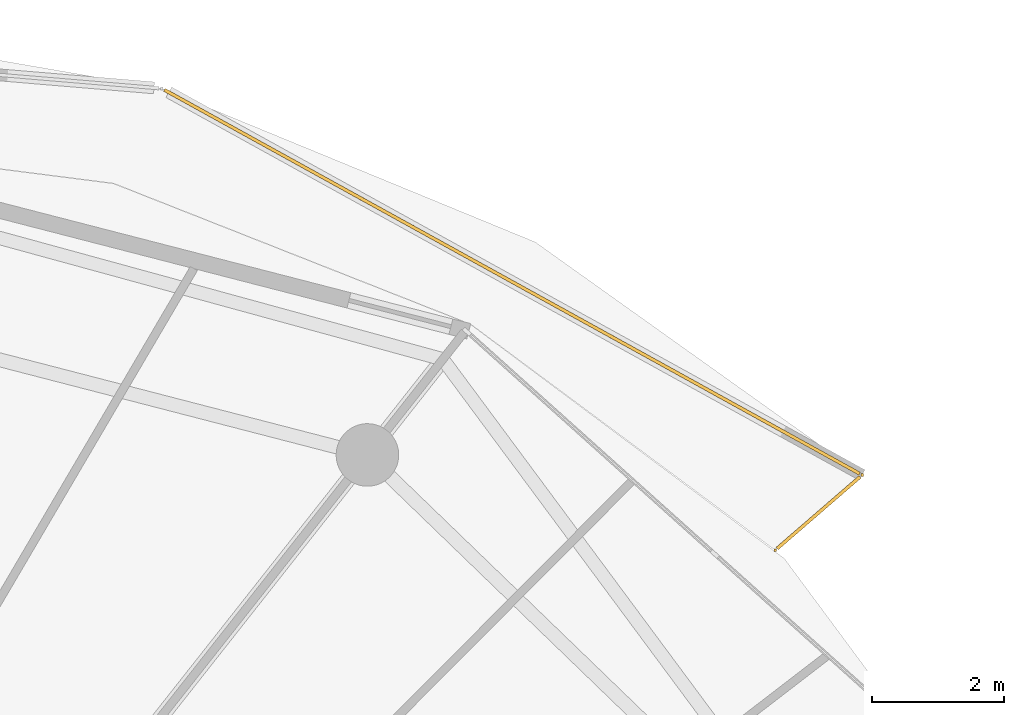
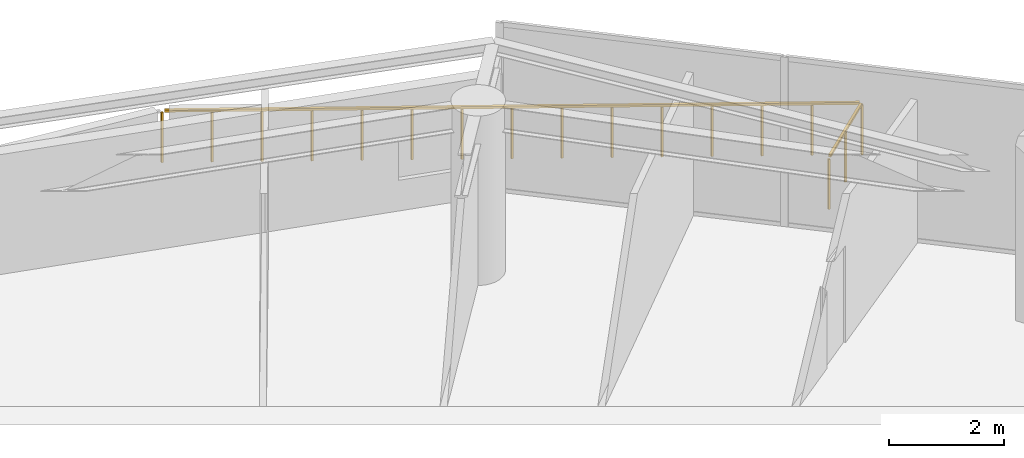
# One storey, part 30 of 30: 2 railings.
"""IFC4 building model written with IfcOpenShell, lengths in metres."""

import ifcopenshell
import ifcopenshell.guid

model = None  # the IFC model being written
_history = None  # IfcOwnerHistory: only IFC2X3 demands one
_inside = {}  # id of a spatial element -> (the spatial element, [elements in it])
_under = {}  # id of a project, library or spatial element -> (it, [spatial elements below it])
_declared = {}  # id of a project -> (the project, [libraries it declares])
_typed = {}  # id of a type object -> (the type object, [elements of that type])
_made_of = {}  # id of a material, layer set ... -> (it, [elements and type objects made of it])


def new_model(schema):
    """Start an empty IFC model of exactly this schema.

    Asked for "IFC4X3", IfcOpenShell would pick the latest addendum, in which some entities
    have other attributes; the version numbers below select the first issue.
    IFC2X3 requires an IfcOwnerHistory on every rooted entity: one is made here for all.
    """
    global model, _history
    if schema == "IFC4X3":
        model = ifcopenshell.file(schema_version=(4, 3, 0, 0))
    else:
        model = ifcopenshell.file(schema=schema)
    _inside.clear()
    _under.clear()
    _declared.clear()
    _typed.clear()
    _made_of.clear()
    _history = None
    if model.schema == "IFC2X3":
        org = make("IfcOrganization", Name="unknown")
        user = make(
            "IfcPersonAndOrganization",
            ThePerson=make("IfcPerson", FamilyName="unknown"),
            TheOrganization=org,
        )
        app = make(
            "IfcApplication",
            ApplicationDeveloper=org,
            Version="unknown",
            ApplicationFullName="unknown",
            ApplicationIdentifier="unknown",
        )
        _history = make(
            "IfcOwnerHistory",
            OwningUser=user,
            OwningApplication=app,
            ChangeAction="ADDED",
            CreationDate=0,
        )
    return model


def make(cls, **values):
    """One entity of the class cls with the attributes given. An attribute that is None is left unset."""
    return model.create_entity(
        cls, **{name: value for name, value in values.items() if value is not None}
    )


def rooted(cls, **values):
    """An entity with a GlobalId (a new one), such as an element, a storey or a relation."""
    return make(cls, GlobalId=ifcopenshell.guid.new(), OwnerHistory=_history, **values)


def si_unit(unit_type, name, prefix=None):
    """IfcSIUnit, for example si_unit("LENGTHUNIT", "METRE", prefix="MILLI")."""
    return make("IfcSIUnit", UnitType=unit_type, Prefix=prefix, Name=name)


def assignment(units):
    """IfcUnitAssignment: the units of a project."""
    return None if units is None else make("IfcUnitAssignment", Units=units)


def point(xyz):
    """IfcCartesianPoint."""
    return None if xyz is None else make("IfcCartesianPoint", Coordinates=xyz)


def direction(xyz):
    """IfcDirection."""
    return None if xyz is None else make("IfcDirection", DirectionRatios=xyz)


def frame(location, z_axis=None, x_axis=None):
    """IfcAxis2Placement3D, a coordinate frame: its origin and axes. An axis left out is left unset."""
    return make(
        "IfcAxis2Placement3D",
        Location=point(location),
        Axis=direction(z_axis),
        RefDirection=direction(x_axis),
    )


def frame_2d(location, x_axis=None):
    """IfcAxis2Placement2D, a coordinate frame in the plane: its origin and x axis."""
    return make(
        "IfcAxis2Placement2D", Location=point(location), RefDirection=direction(x_axis)
    )


def origin():
    """The frame at (0, 0, 0) with its axes left unset."""
    return frame((0.0, 0.0, 0.0))


def origin_2d():
    """The frame at (0, 0) in the plane with its x axis left unset."""
    return frame_2d((0.0, 0.0))


def place(relative_to, where):
    """IfcLocalPlacement: puts the frame where relative to a parent placement (None: the world)."""
    return make(
        "IfcLocalPlacement", PlacementRelTo=relative_to, RelativePlacement=where
    )


def context(
    kind, dimensions, precision=None, world=None, true_north=None, identifier=None
):
    """IfcGeometricRepresentationContext, for example the 3D "Model" context."""
    return make(
        "IfcGeometricRepresentationContext",
        ContextIdentifier=identifier,
        ContextType=kind,
        CoordinateSpaceDimension=dimensions,
        Precision=precision,
        WorldCoordinateSystem=world,
        TrueNorth=true_north,
    )


def subcontext(parent, identifier, kind, view, scale=None):
    """IfcGeometricRepresentationSubContext, for example "Body" below "Model"."""
    return make(
        "IfcGeometricRepresentationSubContext",
        ContextIdentifier=identifier,
        ContextType=kind,
        ParentContext=parent,
        TargetScale=scale,
        TargetView=view,
    )


def project(units=None, contexts=None):
    """IfcProject with its units and contexts."""
    return rooted(
        "IfcProject",
        Name="project",
        RepresentationContexts=contexts,
        UnitsInContext=assignment(units),
    )


def spatial(cls, under=None, at=None, **own):
    """A site, building, storey or space (cls), placed at a placement, below another one or the project."""
    s = rooted(cls, ObjectPlacement=at, **own)
    if under is not None:
        _under.setdefault(under.id(), (under, []))[1].append(s)
    return s


def profile(cls, at=None, kind="AREA", **sizes):
    """A parametric profile (cls). Its sizes go by their IFC names, for example OverallWidth=200.0."""
    return make(cls, ProfileType=kind, Position=at, **sizes)


def rectangle(**sizes):
    """IfcRectangleProfileDef."""
    return profile("IfcRectangleProfileDef", **sizes)


def extrude(swept, where, along, depth):
    """IfcExtrudedAreaSolid: the profile swept, set in the frame where, extruded along a direction by depth."""
    return make(
        "IfcExtrudedAreaSolid",
        SweptArea=swept,
        Position=where,
        ExtrudedDirection=direction(along),
        Depth=depth,
    )


def shape(context_of_items, identifier, shape_type, items):
    """IfcShapeRepresentation: the items that make up one representation, for example the "Body"."""
    return make(
        "IfcShapeRepresentation",
        ContextOfItems=context_of_items,
        RepresentationIdentifier=identifier,
        RepresentationType=shape_type,
        Items=items,
    )


def material(Name=None, Category=None):
    """IfcMaterial."""
    return make("IfcMaterial", Name=Name, Category=Category)


def made_of(thing, what):
    """Note that an element or type object is made of a material, layer set ...; save() writes the relation."""
    if what is not None:
        _made_of.setdefault(what.id(), (what, []))[1].append(thing)
    return thing


def type_object(cls, material=None, **own):
    """A type object (cls), such as IfcWallType, which elements share."""
    return made_of(rooted(cls, **own), material)


def element(
    cls,
    number,
    at=None,
    inside=None,
    cuts=None,
    type_object=None,
    material=None,
    context=None,
    identifier="Body",
    shape_type=None,
    held_by="IfcProductDefinitionShape",
    body=None,
    shapes=None,
    **own,
):
    """One element of the class cls, such as IfcWall. Its Tag is "e" and its number.

    at: its placement. inside: the storey or other place that contains it. cuts: it is an
    opening in that element (IfcRelVoidsElement). A single representation is given by context,
    identifier, shape_type and body (its items); several are given by shapes. held_by: the class
    of the entity that holds the representations. save() writes the other relations.
    """
    e = rooted(cls, Tag="e%d" % number, ObjectPlacement=at, **own)
    if body is not None:
        shapes = [shape(context, identifier, shape_type, body)]
    if shapes is not None:
        e.Representation = make(held_by, Representations=shapes)
    if inside is not None:
        _inside.setdefault(inside.id(), (inside, []))[1].append(e)
    if cuts is not None:
        rooted(
            "IfcRelVoidsElement", RelatingBuildingElement=cuts, RelatedOpeningElement=e
        )
    if type_object is not None:
        _typed.setdefault(type_object.id(), (type_object, []))[1].append(e)
    return made_of(e, material)


def aggregate(whole, parts):
    """IfcRelAggregates: a whole, such as a stair, and the parts it consists of."""
    return rooted("IfcRelAggregates", RelatingObject=whole, RelatedObjects=parts)


def save(model, path):
    """Write the relations noted so far, then the file.

    IfcRelAggregates (storeys below a building ...), IfcRelContainedInSpatialStructure (elements
    in a storey), IfcRelDefinesByType, IfcRelAssociatesMaterial and IfcRelDeclares: one each for
    every whole, place, type object, material and project.
    """
    for whole, parts in _under.values():
        aggregate(whole, parts)
    for where, things in _inside.values():
        rooted(
            "IfcRelContainedInSpatialStructure",
            RelatedElements=things,
            RelatingStructure=where,
        )
    for kind, things in _typed.values():
        rooted("IfcRelDefinesByType", RelatedObjects=things, RelatingType=kind)
    for what, things in _made_of.values():
        rooted("IfcRelAssociatesMaterial", RelatedObjects=things, RelatingMaterial=what)
    for by, libraries in _declared.values():
        rooted("IfcRelDeclares", RelatingContext=by, RelatedDefinitions=libraries)
    model.write(path)


model = new_model("IFC4")

# Units and contexts
model_context = context("Model", 3, precision=1e-05, world=origin(), true_north=direction((0.0, 1.0)))
body_context = subcontext(model_context, "Body", "Model", "MODEL_VIEW")
ifc_project = project(units=[si_unit("LENGTHUNIT", "METRE"), si_unit("AREAUNIT", "SQUARE_METRE"), si_unit("VOLUMEUNIT", "CUBIC_METRE"), si_unit("PLANEANGLEUNIT", "RADIAN"), si_unit("MASSUNIT", "GRAM", prefix="KILO")], contexts=[model_context])

# Site, building, storey
site_placement = place(None, origin())
site = spatial("IfcSite", under=ifc_project, at=site_placement, CompositionType="ELEMENT")
building_placement = place(site_placement, origin())
building = spatial("IfcBuilding", under=site, at=building_placement, Name="Kazma Halo Residences", CompositionType="ELEMENT")
storey_placement = place(building_placement, frame((0.0, 0.0, 244.39990234375)))
storey = spatial("IfcBuildingStorey", under=building, at=storey_placement, Name="L61", CompositionType="ELEMENT", Elevation=244.39990234375)

# Railings
ifc_material = material(Name="Aluminium AW-6063 T6 Brushed Cap Rail", Category="aluminium")
railing_type = type_object("IfcRailingType", Name="RLG-BAL-CAP-1120", PredefinedType="BALUSTRADE", material=ifc_material)
railing_1_placement = place(storey_placement, frame((71.0400390625, 61.9228515625, 0.0)))
element("IfcRailing", 1, at=railing_1_placement, inside=storey, type_object=railing_type, Name="L61 NE wave balcony guard 1", PredefinedType="BALUSTRADE", context=body_context, shape_type="SweptSolid", body=[
    extrude(rectangle(XDim=0.050048828125, YDim=0.050048828125, at=origin_2d()), frame((0.0322265625, 0.02783203125, 1.09521484375), z_axis=(0.756417381083, 0.654089248953, 0.0), x_axis=(-0.654089248953, 0.756417381083, 0.0)), (0.0, 0.0, 1.0), 1.661376953125),
    extrude(rectangle(XDim=0.0400390625, YDim=0.0400390625, at=origin_2d()), origin(), (0.0, 0.0, 1.0), 1.05810546875),
    extrude(rectangle(XDim=0.0400390625, YDim=0.0400390625, at=origin_2d()), frame((0.66064453125, 0.5712890625, 0.0)), (0.0, 0.0, 1.0), 1.05810546875),
    extrude(rectangle(XDim=0.0400390625, YDim=0.0400390625, at=origin_2d()), frame((1.321044921875, 1.142333984375, 0.0)), (0.0, 0.0, 1.0), 1.05810546875),
])
railing_2_placement = place(storey_placement, frame((72.361083984375, 63.065185546875, 0.0)))
element("IfcRailing", 2, at=railing_2_placement, inside=storey, type_object=railing_type, Name="L61 NE wave balcony guard 2", PredefinedType="BALUSTRADE", context=body_context, shape_type="SweptSolid", body=[
    extrude(rectangle(XDim=0.050048828125, YDim=0.050048828125, at=origin_2d()), frame((-0.037353515625, 0.0205078125, 1.09521484375), z_axis=(-0.875457487353, 0.483295135334, 0.0), x_axis=(-0.483295135334, -0.875457487353, 0.0)), (0.0, 0.0, 1.0), 12.06396484375),
    extrude(rectangle(XDim=0.0400390625, YDim=0.0400390625, at=origin_2d()), origin(), (0.0, 0.0, 1.0), 1.05810546875),
    extrude(rectangle(XDim=0.0400390625, YDim=0.0400390625, at=origin_2d()), frame((-0.759765625, 0.41943359375, 0.0)), (0.0, 0.0, 1.0), 1.05810546875),
    extrude(rectangle(XDim=0.0400390625, YDim=0.0400390625, at=origin_2d()), frame((-1.51953125, 0.8388671875, 0.0)), (0.0, 0.0, 1.0), 1.05810546875),
    extrude(rectangle(XDim=0.0400390625, YDim=0.0400390625, at=origin_2d()), frame((-2.279052734375, 1.25830078125, 0.0)), (0.0, 0.0, 1.0), 1.05810546875),
    extrude(rectangle(XDim=0.0400390625, YDim=0.0400390625, at=origin_2d()), frame((-3.038818359375, 1.677490234375, 0.0)), (0.0, 0.0, 1.0), 1.05810546875),
    extrude(rectangle(XDim=0.0400390625, YDim=0.0400390625, at=origin_2d()), frame((-3.798583984375, 2.096923828125, 0.0)), (0.0, 0.0, 1.0), 1.05810546875),
    extrude(rectangle(XDim=0.0400390625, YDim=0.0400390625, at=origin_2d()), frame((-4.558349609375, 2.516357421875, 0.0)), (0.0, 0.0, 1.0), 1.05810546875),
    extrude(rectangle(XDim=0.0400390625, YDim=0.0400390625, at=origin_2d()), frame((-5.31787109375, 2.935791015625, 0.0)), (0.0, 0.0, 1.0), 1.05810546875),
    extrude(rectangle(XDim=0.0400390625, YDim=0.0400390625, at=origin_2d()), frame((-6.07763671875, 3.355224609375, 0.0)), (0.0, 0.0, 1.0), 1.05810546875),
    extrude(rectangle(XDim=0.0400390625, YDim=0.0400390625, at=origin_2d()), frame((-6.83740234375, 3.774658203125, 0.0)), (0.0, 0.0, 1.0), 1.05810546875),
    extrude(rectangle(XDim=0.0400390625, YDim=0.0400390625, at=origin_2d()), frame((-7.59716796875, 4.194091796875, 0.0)), (0.0, 0.0, 1.0), 1.05810546875),
    extrude(rectangle(XDim=0.0400390625, YDim=0.0400390625, at=origin_2d()), frame((-8.35693359375, 4.61328125, 0.0)), (0.0, 0.0, 1.0), 1.05810546875),
    extrude(rectangle(XDim=0.0400390625, YDim=0.0400390625, at=origin_2d()), frame((-9.116455078125, 5.03271484375, 0.0)), (0.0, 0.0, 1.0), 1.05810546875),
    extrude(rectangle(XDim=0.0400390625, YDim=0.0400390625, at=origin_2d()), frame((-9.876220703125, 5.4521484375, 0.0)), (0.0, 0.0, 1.0), 1.05810546875),
    extrude(rectangle(XDim=0.0400390625, YDim=0.0400390625, at=origin_2d()), frame((-10.635986328125, 5.87158203125, 0.0)), (0.0, 0.0, 1.0), 1.05810546875),
])

save(model, "model.ifc")
